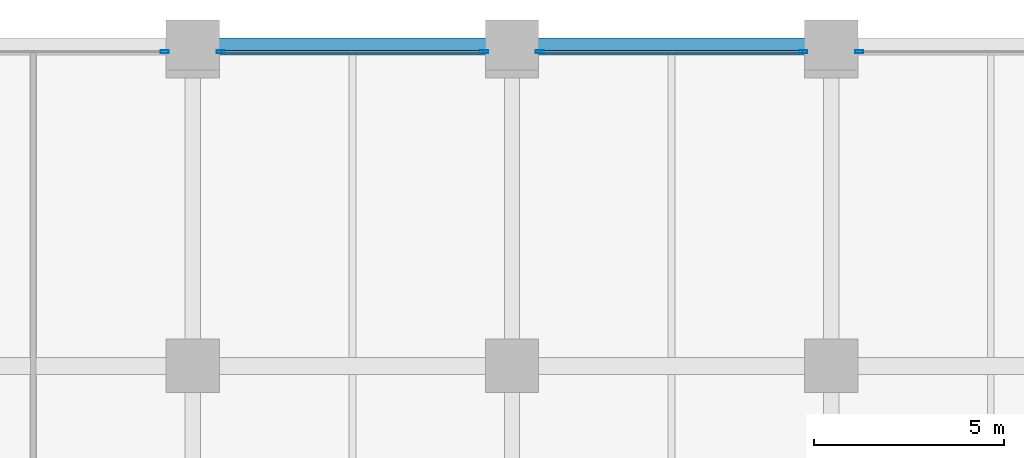
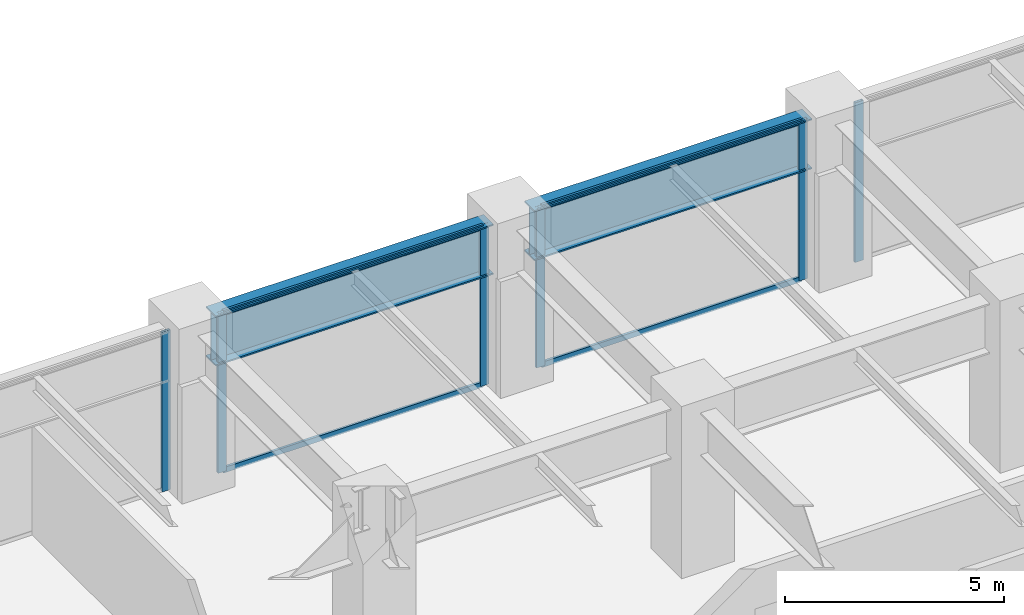
# One storey, part 16 of 24: 10 members, 2 beams, 4 elements without a shape of their own.
"""IFC4 building model written with IfcOpenShell, lengths in metres."""

from ifc_helpers import new_model, si_unit, direction, frame, origin, origin_2d, place, context, subcontext, project, spatial, hollow_rectangle, i_section, extrude, material, layer, layer_set, material_profile, profile_set, type_object, element, aggregate, save


model = new_model("IFC4")

# Units and contexts
model_context = context("Model", 3, precision=1e-05, world=origin(), true_north=direction((0.0, 1.0)))
body_context = subcontext(model_context, "Body", "Model", "MODEL_VIEW")
ifc_project = project(units=[si_unit("LENGTHUNIT", "METRE"), si_unit("AREAUNIT", "SQUARE_METRE"), si_unit("VOLUMEUNIT", "CUBIC_METRE"), si_unit("PLANEANGLEUNIT", "RADIAN"), si_unit("MASSUNIT", "GRAM", prefix="KILO")], contexts=[model_context])

# Site, building, storey
site_placement = place(None, origin())
site = spatial("IfcSite", under=ifc_project, at=site_placement, CompositionType="ELEMENT")
building_placement = place(site_placement, origin())
building = spatial("IfcBuilding", under=site, at=building_placement, Name="Nerrivon Quay Data Exchange", CompositionType="ELEMENT")
storey_placement = place(building_placement, frame((0.0, 0.0, 15.0)))
storey = spatial("IfcBuildingStorey", under=building, at=storey_placement, Name="L03", CompositionType="ELEMENT", Elevation=15.0)

# Beams
ifc_material_1 = material(Name="Steel Grade 350", Category="steel")
ifc_material_profile_1 = material_profile(ifc_material_1, i_section(OverallWidth=0.449951171875, OverallDepth=1.39990234375, WebThickness=0.02001953125, FlangeThickness=0.0400390625, at=origin_2d()), Name="1400WG455")
ifc_profile_set_1 = profile_set([ifc_material_profile_1], Name="Steel Grade 350")
beam_type = type_object("IfcBeamType", Name="BM-TG1-1400WG", PredefinedType="USERDEFINED", material=ifc_profile_set_1)
for number, where, z_axis, x_axis, name in (
    (1, (34.139892578125, 50.39990234375, 3.75), (1.0, 0.0, 0.0), (0.0, 1.0, 0.0), "L03 EW Girder Y=50.4 (33.6..42.0)"),
    (2, (42.5400390625, 50.39990234375, 3.75), (1.0, 0.0, 0.0), (0.0, 1.0, 0.0), "L03 EW Girder Y=50.4 (42.0..50.4)"),
):
    element("IfcBeam", number, at=place(storey_placement, frame(where, z_axis=z_axis, x_axis=x_axis)), inside=storey, type_object=beam_type, Name=name, ObjectType="TRANSFER", PredefinedType="USERDEFINED", context=body_context, shape_type="SweptSolid", body=[
        extrude(i_section(OverallWidth=0.449951171875, OverallDepth=1.39990234375, WebThickness=0.02001953125, FlangeThickness=0.0400390625, at=origin_2d()), origin(), (0.0, 0.0, 1.0), 7.320068359375),
    ])

# Curtain wall, member
ifc_material_2 = material(Name="Anodised aluminium 6063-T6", Category="aluminium")
ifc_layer = layer(ifc_material_2, 0.239990234375)
ifc_layer_set = layer_set([ifc_layer], Name="Anodised aluminium 6063-T6")
curtain_wall_type = type_object("IfcCurtainWallType", Name="CW-SYS-03", PredefinedType="NOTDEFINED", material=ifc_layer_set)
curtain_wall_1_placement = place(storey_placement, origin())
curtain_wall_1 = element("IfcCurtainWall", 3, at=curtain_wall_1_placement, inside=storey, type_object=curtain_wall_type, Name="L03 Unitised Curtain Wall 10", PredefinedType="NOTDEFINED")
ifc_material_profile_2 = material_profile(ifc_material_2, hollow_rectangle(XDim=0.074951171875, YDim=0.219970703125, WallThickness=0.00390625, at=origin_2d()), Name="ALU-MULL-220x75")
ifc_profile_set_2 = profile_set([ifc_material_profile_2], Name="Anodised aluminium 6063-T6")
member_type_1 = type_object("IfcMemberType", Name="CWM-220x75", PredefinedType="MULLION", material=ifc_profile_set_2)
member_1_placement = place(storey_placement, frame((32.862548828125, 50.260009765625, 0.0), z_axis=(0.0, 0.0, 1.0), x_axis=(0.0, 1.0, 0.0)))
member_1 = element("IfcMember", 4, at=member_1_placement, type_object=member_type_1, Name="CW03 mullion 2", PredefinedType="MULLION", context=body_context, shape_type="SweptSolid", body=[
    extrude(hollow_rectangle(XDim=0.074951171875, YDim=0.219970703125, WallThickness=0.00390625, at=origin_2d()), origin(), (0.0, 0.0, 1.0), 4.449951171875),
])
aggregate(curtain_wall_1, [member_1])

# Curtain wall, members
curtain_wall_2_placement = place(storey_placement, origin())
curtain_wall_2 = element("IfcCurtainWall", 5, at=curtain_wall_2_placement, inside=storey, type_object=curtain_wall_type, Name="L03 Unitised Curtain Wall 11", PredefinedType="NOTDEFINED")
member_2_placement = place(storey_placement, frame((34.33740234375, 50.260009765625, 0.0), z_axis=(0.0, 0.0, 1.0), x_axis=(0.0, 1.0, 0.0)))
member_2 = element("IfcMember", 6, at=member_2_placement, type_object=member_type_1, Name="CW03 mullion 1", PredefinedType="MULLION", context=body_context, shape_type="SweptSolid", body=[
    extrude(hollow_rectangle(XDim=0.074951171875, YDim=0.219970703125, WallThickness=0.00390625, at=origin_2d()), origin(), (0.0, 0.0, 1.0), 4.449951171875),
])
member_3_placement = place(storey_placement, frame((41.262451171875, 50.260009765625, 0.0), z_axis=(0.0, 0.0, 1.0), x_axis=(0.0, 1.0, 0.0)))
member_3 = element("IfcMember", 7, at=member_3_placement, type_object=member_type_1, Name="CW03 mullion 2", PredefinedType="MULLION", context=body_context, shape_type="SweptSolid", body=[
    extrude(hollow_rectangle(XDim=0.074951171875, YDim=0.219970703125, WallThickness=0.00390625, at=origin_2d()), origin(), (0.0, 0.0, 1.0), 4.449951171875),
])

curtain_wall_3_placement = place(storey_placement, origin())
curtain_wall_3 = element("IfcCurtainWall", 8, at=curtain_wall_3_placement, inside=storey, type_object=curtain_wall_type, Name="L03 Unitised Curtain Wall 12", PredefinedType="NOTDEFINED")
member_4_placement = place(storey_placement, frame((42.737548828125, 50.260009765625, 0.0), z_axis=(0.0, 0.0, 1.0), x_axis=(0.0, 1.0, 0.0)))
member_4 = element("IfcMember", 9, at=member_4_placement, type_object=member_type_1, Name="CW03 mullion 1", PredefinedType="MULLION", context=body_context, shape_type="SweptSolid", body=[
    extrude(hollow_rectangle(XDim=0.074951171875, YDim=0.219970703125, WallThickness=0.00390625, at=origin_2d()), origin(), (0.0, 0.0, 1.0), 4.449951171875),
])
member_5_placement = place(storey_placement, frame((49.66259765625, 50.260009765625, 0.0), z_axis=(0.0, 0.0, 1.0), x_axis=(0.0, 1.0, 0.0)))
member_5 = element("IfcMember", 10, at=member_5_placement, type_object=member_type_1, Name="CW03 mullion 2", PredefinedType="MULLION", context=body_context, shape_type="SweptSolid", body=[
    extrude(hollow_rectangle(XDim=0.074951171875, YDim=0.219970703125, WallThickness=0.00390625, at=origin_2d()), origin(), (0.0, 0.0, 1.0), 4.449951171875),
])

# Curtain wall, member
curtain_wall_4_placement = place(storey_placement, origin())
curtain_wall_4 = element("IfcCurtainWall", 11, at=curtain_wall_4_placement, inside=storey, type_object=curtain_wall_type, Name="L03 Unitised Curtain Wall 13", PredefinedType="NOTDEFINED")
member_6_placement = place(storey_placement, frame((51.137451171875, 50.260009765625, 0.0), z_axis=(0.0, 0.0, 1.0), x_axis=(0.0, 1.0, 0.0)))
member_6 = element("IfcMember", 12, at=member_6_placement, type_object=member_type_1, Name="CW03 mullion 1", PredefinedType="MULLION", context=body_context, shape_type="SweptSolid", body=[
    extrude(hollow_rectangle(XDim=0.074951171875, YDim=0.219970703125, WallThickness=0.00390625, at=origin_2d()), origin(), (0.0, 0.0, 1.0), 4.449951171875),
])
aggregate(curtain_wall_4, [member_6])

# Member
ifc_material_profile_3 = material_profile(ifc_material_2, hollow_rectangle(XDim=0.06494140625, YDim=0.14990234375, WallThickness=0.00341796875, at=origin_2d()), Name="ALU-TRAN-150x65")
ifc_profile_set_3 = profile_set([ifc_material_profile_3], Name="Anodised aluminium 6063-T6")
member_type_2 = type_object("IfcMemberType", Name="CWT-150x65", PredefinedType="USERDEFINED", material=ifc_profile_set_3)
member_7_placement = place(storey_placement, frame((34.375, 50.260009765625, 0.032470703125), z_axis=(1.0, 0.0, 0.0), x_axis=(0.0, 1.0, 0.0)))
member_7 = element("IfcMember", 13, at=member_7_placement, type_object=member_type_2, Name="CW03 transom 1.1", ObjectType="TRANSOM", PredefinedType="USERDEFINED", context=body_context, shape_type="SweptSolid", body=[
    extrude(hollow_rectangle(XDim=0.06494140625, YDim=0.14990234375, WallThickness=0.00341796875, at=origin_2d()), origin(), (0.0, 0.0, 1.0), 6.85009765625),
])

member_8_placement = place(storey_placement, frame((34.375, 50.260009765625, 4.41748046875), z_axis=(1.0, 0.0, 0.0), x_axis=(0.0, 1.0, 0.0)))
member_8 = element("IfcMember", 14, at=member_8_placement, type_object=member_type_2, Name="CW03 transom 1.2", ObjectType="TRANSOM", PredefinedType="USERDEFINED", context=body_context, shape_type="SweptSolid", body=[
    extrude(hollow_rectangle(XDim=0.06494140625, YDim=0.14990234375, WallThickness=0.00341796875, at=origin_2d()), origin(), (0.0, 0.0, 1.0), 6.85009765625),
])

aggregate(curtain_wall_2, [member_2, member_3, member_7, member_8])

member_9_placement = place(storey_placement, frame((42.77490234375, 50.260009765625, 0.032470703125), z_axis=(1.0, 0.0, 0.0), x_axis=(0.0, 1.0, 0.0)))
member_9 = element("IfcMember", 15, at=member_9_placement, type_object=member_type_2, Name="CW03 transom 1.1", ObjectType="TRANSOM", PredefinedType="USERDEFINED", context=body_context, shape_type="SweptSolid", body=[
    extrude(hollow_rectangle(XDim=0.06494140625, YDim=0.14990234375, WallThickness=0.00341796875, at=origin_2d()), origin(), (0.0, 0.0, 1.0), 6.85009765625),
])

member_10_placement = place(storey_placement, frame((42.77490234375, 50.260009765625, 4.41748046875), z_axis=(1.0, 0.0, 0.0), x_axis=(0.0, 1.0, 0.0)))
member_10 = element("IfcMember", 16, at=member_10_placement, type_object=member_type_2, Name="CW03 transom 1.2", ObjectType="TRANSOM", PredefinedType="USERDEFINED", context=body_context, shape_type="SweptSolid", body=[
    extrude(hollow_rectangle(XDim=0.06494140625, YDim=0.14990234375, WallThickness=0.00341796875, at=origin_2d()), origin(), (0.0, 0.0, 1.0), 6.85009765625),
])

aggregate(curtain_wall_3, [member_4, member_5, member_9, member_10])

save(model, "model.ifc")
